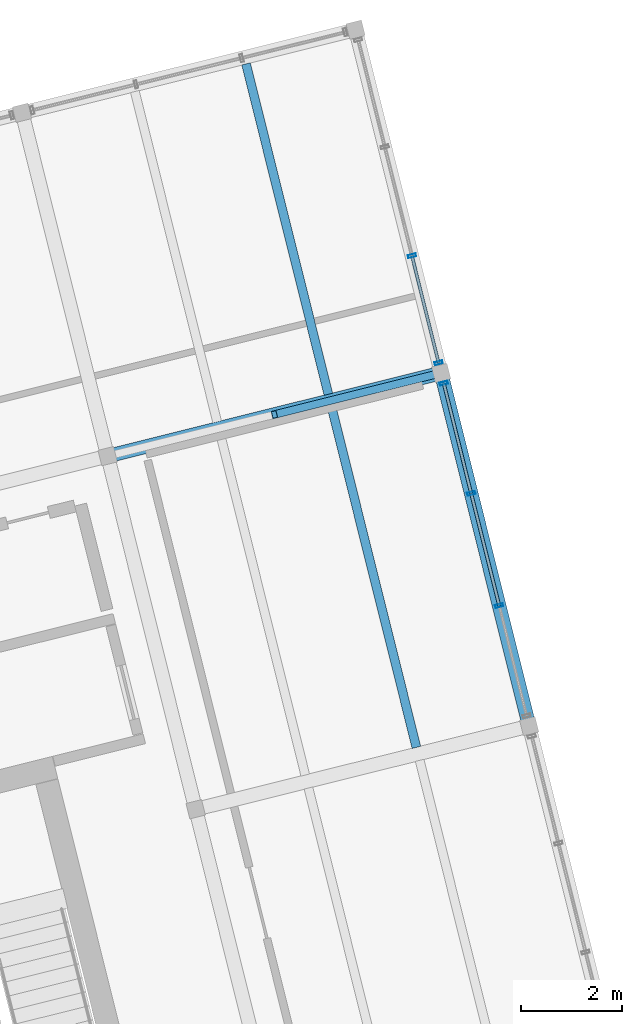
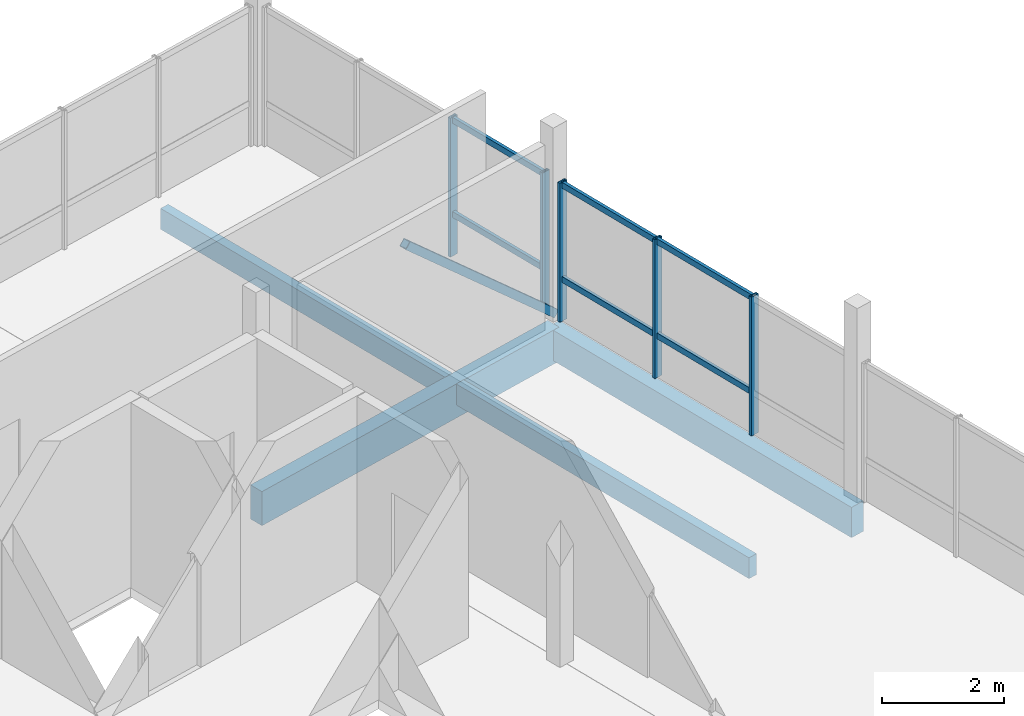
# One storey, part 18 of 25: 12 members, 4 beams, 2 elements without a shape of their own.
"""IFC4 building model written with IfcOpenShell, lengths in metres."""

from ifc_helpers import new_model, si_unit, direction, frame, origin, origin_2d, place, context, subcontext, project, spatial, rectangle, hollow_rectangle, extrude, material, layer, layer_set, material_profile, profile_set, type_object, element, aggregate, save


model = new_model("IFC4")

# Units and contexts
model_context = context("Model", 3, precision=1e-05, world=origin(), true_north=direction((0.0, 1.0)))
body_context = subcontext(model_context, "Body", "Model", "MODEL_VIEW")
ifc_project = project(units=[si_unit("LENGTHUNIT", "METRE"), si_unit("AREAUNIT", "SQUARE_METRE"), si_unit("VOLUMEUNIT", "CUBIC_METRE"), si_unit("PLANEANGLEUNIT", "RADIAN"), si_unit("MASSUNIT", "GRAM", prefix="KILO")], contexts=[model_context])

# Site, building, storey
site_placement = place(None, origin())
site = spatial("IfcSite", under=ifc_project, at=site_placement, CompositionType="ELEMENT")
building_placement = place(site_placement, origin())
building = spatial("IfcBuilding", under=site, at=building_placement, Name="Meriwether Solvik Hall", CompositionType="ELEMENT")
storey_placement = place(building_placement, frame((0.0, 0.0, 49.5)))
storey = spatial("IfcBuildingStorey", under=building, at=storey_placement, Name="L12", CompositionType="ELEMENT", Elevation=49.5)

# Beams
ifc_material_1 = material(Name="Glulam Douglas-Fir 24F-V8 GL28h", Category="wood")
ifc_material_profile_1 = material_profile(ifc_material_1, rectangle(XDim=0.27294921875, YDim=0.610107421875, at=origin_2d()), Name="GLB-273X610")
ifc_profile_set_1 = profile_set([ifc_material_profile_1], Name="Glulam Douglas-Fir 24F-V8 GL28h")
beam_type_1 = type_object("IfcBeamType", Name="BM-GL-273X610", PredefinedType="SPANDREL", material=ifc_profile_set_1)
beam_1_placement = place(storey_placement, frame((100.192138671875, 63.29931640625, -0.485107421875), z_axis=(-0.241937193493, 0.970291911955, 0.0), x_axis=(-0.970291911955, -0.241937193493, 0.0)))
element("IfcBeam", 1, at=beam_1_placement, inside=storey, type_object=beam_type_1, Name="Tower Girder T6:TC-TD (L12)", PredefinedType="SPANDREL", context=body_context, shape_type="SweptSolid", body=[
    extrude(rectangle(XDim=0.27294921875, YDim=0.610107421875, at=origin_2d()), origin(), (0.0, 0.0, 1.0), 7.199951171875),
])
ifc_material_2 = material(Name="Glulam Douglas-Fir 24F-V8 GL28h", Category="wood")
ifc_material_profile_2 = material_profile(ifc_material_2, rectangle(XDim=0.27294921875, YDim=0.68505859375, at=origin_2d()), Name="GLB-273X685")
ifc_profile_set_2 = profile_set([ifc_material_profile_2], Name="Glulam Douglas-Fir 24F-V8 GL28h")
beam_type_2 = type_object("IfcBeamType", Name="BM-GL-273X685", PredefinedType="BEAM", material=ifc_profile_set_2)
beam_2_placement = place(storey_placement, frame((91.852294921875, 68.640380859375, -0.5224609375), z_axis=(0.970296478685, 0.241918877831, 0.0), x_axis=(-0.241918877831, 0.970296478685, 0.0)))
element("IfcBeam", 2, at=beam_2_placement, inside=storey, type_object=beam_type_2, Name="Tower Girder TD:T5-T6 (L12)", PredefinedType="BEAM", context=body_context, shape_type="SweptSolid", body=[
    extrude(rectangle(XDim=0.27294921875, YDim=0.68505859375, at=origin_2d()), origin(), (0.0, 0.0, 1.0), 6.7998046875),
])

# Curtain wall, members
ifc_material_3 = material(Name="Thermally Broken Anodised Aluminium 6063-T6 and Low-E Glass", Category="aluminium")
ifc_layer_1 = layer(ifc_material_3, 0.179931640625)
ifc_layer_set_1 = layer_set([ifc_layer_1], Name="Thermally Broken Anodised Aluminium 6063-T6 and Low-E Glass")
curtain_wall_type_1 = type_object("IfcCurtainWallType", Name="CW-UNIT-F", PredefinedType="USERDEFINED", material=ifc_layer_set_1)
curtain_wall_1_placement = place(storey_placement, origin())
curtain_wall_1 = element("IfcCurtainWall", 3, at=curtain_wall_1_placement, inside=storey, type_object=curtain_wall_type_1, Name="Curtain Wall E1_B2 (L12)", ObjectType="UNITISED CURTAIN WALL", PredefinedType="USERDEFINED")
ifc_material_4 = material(Name="Anodised Aluminium 6063-T6", Category="aluminium")
ifc_material_profile_3 = material_profile(ifc_material_4, hollow_rectangle(XDim=0.06005859375, YDim=0.159912109375, WallThickness=0.00390625, at=origin_2d()), Name="CWM-60X160")
ifc_profile_set_3 = profile_set([ifc_material_profile_3], Name="Anodised Aluminium 6063-T6")
member_type_1 = type_object("IfcMemberType", Name="CW-MUL-60X160", PredefinedType="MULLION", material=ifc_profile_set_3)
member_1_placement = place(storey_placement, frame((98.50048828125, 70.083984375, 0.0), z_axis=(0.0, 0.0, 1.0), x_axis=(0.241921877598, -0.970295730764, 0.0)))
member_1 = element("IfcMember", 4, at=member_1_placement, type_object=member_type_1, Name="Curtain Wall Mullion 1", PredefinedType="MULLION", context=body_context, shape_type="SweptSolid", body=[
    extrude(hollow_rectangle(XDim=0.06005859375, YDim=0.159912109375, WallThickness=0.00390625, at=origin_2d()), origin(), (0.0, 0.0, 1.0), 2.7900390625),
])
member_2_placement = place(storey_placement, frame((99.044677734375, 67.90185546875, 0.0), z_axis=(0.0, 0.0, 1.0), x_axis=(0.241921877598, -0.970295730764, 0.0)))
member_2 = element("IfcMember", 5, at=member_2_placement, type_object=member_type_1, Name="Curtain Wall Mullion 2", PredefinedType="MULLION", context=body_context, shape_type="SweptSolid", body=[
    extrude(hollow_rectangle(XDim=0.06005859375, YDim=0.159912109375, WallThickness=0.00390625, at=origin_2d()), origin(), (0.0, 0.0, 1.0), 2.7900390625),
])
member_3_placement = place(storey_placement, frame((99.597900390625, 65.682861328125, 0.0), z_axis=(0.0, 0.0, 1.0), x_axis=(0.241921877598, -0.970295730764, 0.0)))
member_3 = element("IfcMember", 6, at=member_3_placement, type_object=member_type_1, Name="Curtain Wall Mullion 3", PredefinedType="MULLION", context=body_context, shape_type="SweptSolid", body=[
    extrude(hollow_rectangle(XDim=0.06005859375, YDim=0.159912109375, WallThickness=0.00390625, at=origin_2d()), origin(), (0.0, 0.0, 1.0), 2.7900390625),
])

ifc_material_5 = material(Name="Thermally Broken Anodised Aluminium 6063-T6 and Low-E Glass", Category="aluminium")
ifc_layer_2 = layer(ifc_material_5, 0.179931640625)
ifc_layer_set_2 = layer_set([ifc_layer_2], Name="Thermally Broken Anodised Aluminium 6063-T6 and Low-E Glass")
curtain_wall_type_2 = type_object("IfcCurtainWallType", Name="CW-UNIT-G", PredefinedType="USERDEFINED", material=ifc_layer_set_2)
curtain_wall_2_placement = place(storey_placement, origin())
curtain_wall_2 = element("IfcCurtainWall", 7, at=curtain_wall_2_placement, inside=storey, type_object=curtain_wall_type_2, Name="Curtain Wall E1_B3 (L12)", ObjectType="UNITISED CURTAIN WALL", PredefinedType="USERDEFINED")
member_4_placement = place(storey_placement, frame((97.8720703125, 72.604248046875, 0.0), z_axis=(0.0, 0.0, 1.0), x_axis=(0.241921960765, -0.970295710028, 0.0)))
member_4 = element("IfcMember", 8, at=member_4_placement, type_object=member_type_1, Name="Curtain Wall Mullion 3", PredefinedType="MULLION", context=body_context, shape_type="SweptSolid", body=[
    extrude(hollow_rectangle(XDim=0.06005859375, YDim=0.159912109375, WallThickness=0.00390625, at=origin_2d()), origin(), (0.0, 0.0, 1.0), 2.7900390625),
])
member_5_placement = place(storey_placement, frame((98.400146484375, 70.48681640625, 0.0), z_axis=(0.0, 0.0, 1.0), x_axis=(0.241921960765, -0.970295710028, 0.0)))
member_5 = element("IfcMember", 9, at=member_5_placement, type_object=member_type_1, Name="Curtain Wall Mullion 4", PredefinedType="MULLION", context=body_context, shape_type="SweptSolid", body=[
    extrude(hollow_rectangle(XDim=0.06005859375, YDim=0.159912109375, WallThickness=0.00390625, at=origin_2d()), origin(), (0.0, 0.0, 1.0), 2.7900390625),
])

# Member
ifc_material_6 = material(Name="Anodised Aluminium 6063-T6", Category="aluminium")
ifc_material_profile_4 = material_profile(ifc_material_6, hollow_rectangle(XDim=0.06005859375, YDim=0.1201171875, WallThickness=0.00390625, at=origin_2d()), Name="CWT-60X120")
ifc_profile_set_4 = profile_set([ifc_material_profile_4], Name="Anodised Aluminium 6063-T6")
member_type_2 = type_object("IfcMemberType", Name="CW-TRN-60X120", PredefinedType="USERDEFINED", material=ifc_profile_set_4)
member_6_placement = place(storey_placement, frame((98.50048828125, 70.083984375, 0.8369140625), z_axis=(0.241973642025, -0.970282822978, 0.0), x_axis=(0.970282822978, 0.241973642025, 0.0)))
member_6 = element("IfcMember", 10, at=member_6_placement, type_object=member_type_2, Name="Curtain Wall Transom 1-sill", ObjectType="TRANSOM", PredefinedType="USERDEFINED", context=body_context, shape_type="SweptSolid", body=[
    extrude(hollow_rectangle(XDim=0.06005859375, YDim=0.1201171875, WallThickness=0.00390625, at=origin_2d()), origin(), (0.0, 0.0, 1.0), 2.2490234375),
])

member_7_placement = place(storey_placement, frame((98.50048828125, 70.083984375, 2.72998046875), z_axis=(0.241973642025, -0.970282822978, 0.0), x_axis=(0.970282822978, 0.241973642025, 0.0)))
member_7 = element("IfcMember", 11, at=member_7_placement, type_object=member_type_2, Name="Curtain Wall Transom 1-head", ObjectType="TRANSOM", PredefinedType="USERDEFINED", context=body_context, shape_type="SweptSolid", body=[
    extrude(hollow_rectangle(XDim=0.06005859375, YDim=0.1201171875, WallThickness=0.00390625, at=origin_2d()), origin(), (0.0, 0.0, 1.0), 2.2490234375),
])

member_8_placement = place(storey_placement, frame((99.044677734375, 67.90185546875, 0.8369140625), z_axis=(0.241907601634, -0.97029929005, 0.0), x_axis=(0.97029929005, 0.241907601634, 0.0)))
member_8 = element("IfcMember", 12, at=member_8_placement, type_object=member_type_2, Name="Curtain Wall Transom 2-sill", ObjectType="TRANSOM", PredefinedType="USERDEFINED", context=body_context, shape_type="SweptSolid", body=[
    extrude(hollow_rectangle(XDim=0.06005859375, YDim=0.1201171875, WallThickness=0.00390625, at=origin_2d()), origin(), (0.0, 0.0, 1.0), 2.286865234375),
])

member_9_placement = place(storey_placement, frame((99.044677734375, 67.90185546875, 2.72998046875), z_axis=(0.241907601634, -0.97029929005, 0.0), x_axis=(0.97029929005, 0.241907601634, 0.0)))
member_9 = element("IfcMember", 13, at=member_9_placement, type_object=member_type_2, Name="Curtain Wall Transom 2-head", ObjectType="TRANSOM", PredefinedType="USERDEFINED", context=body_context, shape_type="SweptSolid", body=[
    extrude(hollow_rectangle(XDim=0.06005859375, YDim=0.1201171875, WallThickness=0.00390625, at=origin_2d()), origin(), (0.0, 0.0, 1.0), 2.286865234375),
])

aggregate(curtain_wall_1, [member_1, member_2, member_3, member_6, member_7, member_8, member_9])

member_10_placement = place(storey_placement, frame((97.8720703125, 72.604248046875, 0.8369140625), z_axis=(0.241982798004, -0.970280539571, 0.0), x_axis=(0.970280539571, 0.241982798004, 0.0)))
member_10 = element("IfcMember", 14, at=member_10_placement, type_object=member_type_2, Name="Curtain Wall Transom 3-sill", ObjectType="TRANSOM", PredefinedType="USERDEFINED", context=body_context, shape_type="SweptSolid", body=[
    extrude(hollow_rectangle(XDim=0.06005859375, YDim=0.1201171875, WallThickness=0.00390625, at=origin_2d()), origin(), (0.0, 0.0, 1.0), 2.182373046875),
])

member_11_placement = place(storey_placement, frame((97.8720703125, 72.604248046875, 2.72998046875), z_axis=(0.241982798004, -0.970280539571, 0.0), x_axis=(0.970280539571, 0.241982798004, 0.0)))
member_11 = element("IfcMember", 15, at=member_11_placement, type_object=member_type_2, Name="Curtain Wall Transom 3-head", ObjectType="TRANSOM", PredefinedType="USERDEFINED", context=body_context, shape_type="SweptSolid", body=[
    extrude(hollow_rectangle(XDim=0.06005859375, YDim=0.1201171875, WallThickness=0.00390625, at=origin_2d()), origin(), (0.0, 0.0, 1.0), 2.182373046875),
])

aggregate(curtain_wall_2, [member_4, member_5, member_10, member_11])

# Beams
ifc_material_7 = material(Name="Glulam Douglas-Fir 24F-V8 GL28h", Category="wood")
ifc_material_profile_5 = material_profile(ifc_material_7, rectangle(XDim=0.175048828125, YDim=0.419921875, at=origin_2d()), Name="GLJ-175X420")
ifc_profile_set_5 = profile_set([ifc_material_profile_5], Name="Glulam Douglas-Fir 24F-V8 GL28h")
beam_type_3 = type_object("IfcBeamType", Name="JST-GL-175X420", PredefinedType="JOIST", material=ifc_profile_set_5)
beam_3_placement = place(storey_placement, frame((97.9609375, 62.87841796875, -0.389892578125), z_axis=(-0.241922788949, 0.970295503539, 0.0), x_axis=(-0.970295503539, -0.241922788949, 0.0)))
element("IfcBeam", 16, at=beam_3_placement, inside=storey, type_object=beam_type_3, Name="Glulam Floor Joist T5/TC-J2 (L12)", PredefinedType="JOIST", context=body_context, shape_type="SweptSolid", body=[
    extrude(rectangle(XDim=0.175048828125, YDim=0.419921875, at=origin_2d()), origin(), (0.0, 0.0, 1.0), 6.93701171875),
])
beam_4_placement = place(storey_placement, frame((96.218994140625, 69.86474609375, -0.389892578125), z_axis=(-0.241896058636, 0.970302167789, 0.0), x_axis=(-0.970302167789, -0.241896058636, 0.0)))
element("IfcBeam", 17, at=beam_4_placement, inside=storey, type_object=beam_type_3, Name="Glulam Floor Joist T5/TD-J2 (L12)", PredefinedType="JOIST", context=body_context, shape_type="SweptSolid", body=[
    extrude(rectangle(XDim=0.175048828125, YDim=0.419921875, at=origin_2d()), origin(), (0.0, 0.0, 1.0), 6.73681640625),
])

# Member
ifc_material_8 = material(Name="Steel A500 Grade C", Category="steel")
ifc_material_profile_6 = material_profile(ifc_material_8, hollow_rectangle(XDim=0.152099609375, YDim=0.152099609375, WallThickness=0.009521484375, at=origin_2d()), Name="HSS152X152X9.5")
ifc_profile_set_6 = profile_set([ifc_material_profile_6], Name="Steel A500 Grade C")
member_type_3 = type_object("IfcMemberType", Name="MEM-BR-HSS152", PredefinedType="BRACE", material=ifc_profile_set_6)
member_12_placement = place(storey_placement, frame((98.4501953125, 70.285400390625, 0.050048828125), z_axis=(-0.724906468782, -0.180743775409, 0.664712192733), x_axis=(0.241927305891, -0.970294377323, 0.0)))
element("IfcMember", 18, at=member_12_placement, inside=storey, type_object=member_type_3, Name="Tower Chevron Brace L12-B4B", PredefinedType="BRACE", context=body_context, shape_type="SweptSolid", body=[
    extrude(hollow_rectangle(XDim=0.152099609375, YDim=0.152099609375, WallThickness=0.009521484375, at=origin_2d()), origin(), (0.0, 0.0, 1.0), 4.55078125),
])

save(model, "model.ifc")
